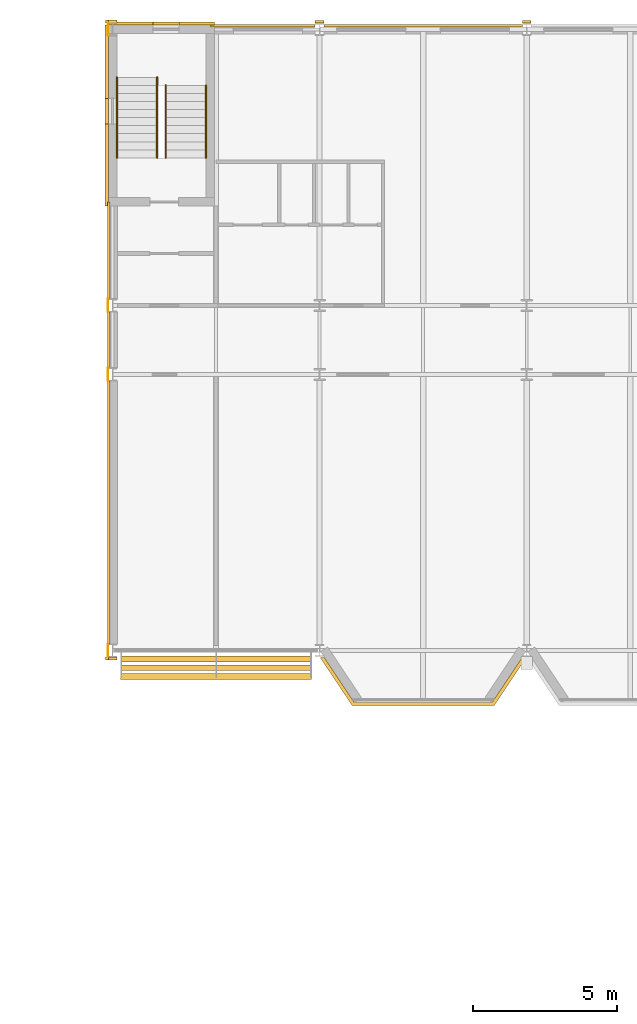
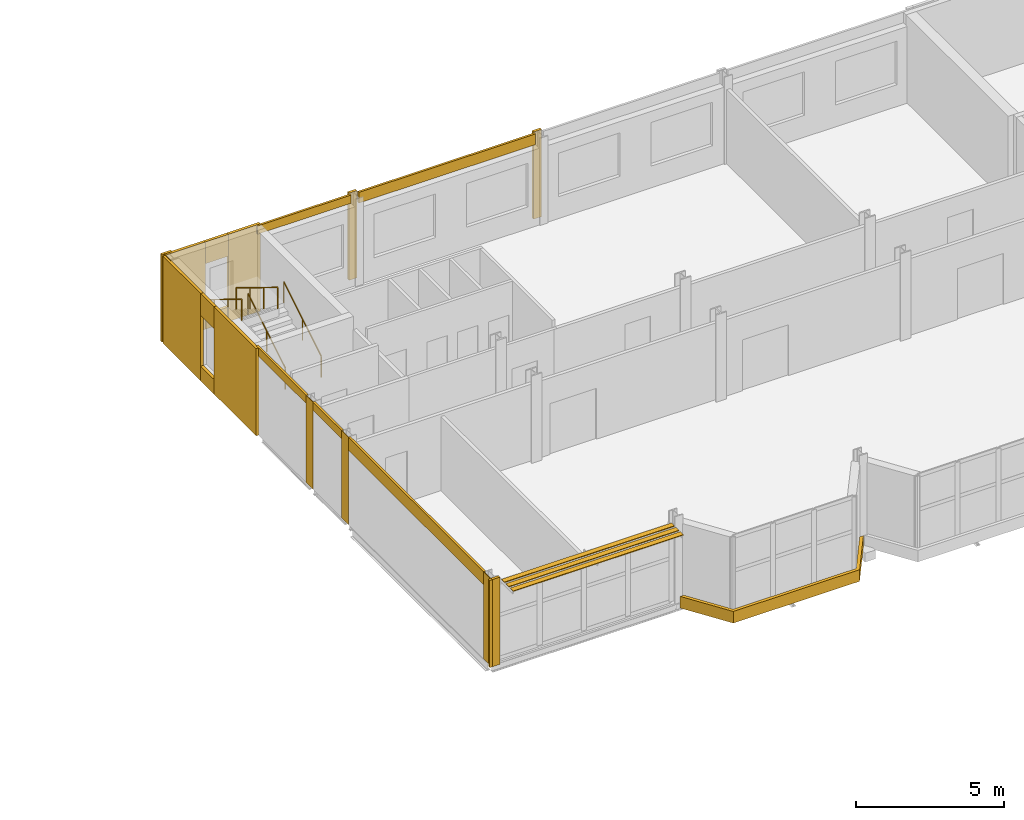
# One storey, part 113 of 120: 24 coverings, 4 railings, 3 shading devices.
"""IFC4 building model written with IfcOpenShell, lengths in metres."""

from ifc_helpers import new_model, si_unit, direction, frame, origin, origin_2d, place, context, subcontext, project, spatial, polyline, rectangle, circle, outline, extrude, material, layer, layer_set, type_object, element, save


model = new_model("IFC4")

# Units and contexts
model_context = context("Model", 3, precision=1e-05, world=origin(), true_north=direction((0.0, 1.0)))
body_context = subcontext(model_context, "Body", "Model", "MODEL_VIEW")
ifc_project = project(units=[si_unit("LENGTHUNIT", "METRE"), si_unit("AREAUNIT", "SQUARE_METRE"), si_unit("VOLUMEUNIT", "CUBIC_METRE"), si_unit("PLANEANGLEUNIT", "RADIAN"), si_unit("MASSUNIT", "GRAM", prefix="KILO")], contexts=[model_context])

# Site, building, storey
site_placement = place(None, origin())
site = spatial("IfcSite", under=ifc_project, at=site_placement, CompositionType="ELEMENT")
building_placement = place(site_placement, origin())
building = spatial("IfcBuilding", under=site, at=building_placement, Name="Kupolbacken Congress Centre", CompositionType="ELEMENT")
storey_placement = place(building_placement, frame((0.0, 0.0, 21.60009765625)))
storey = spatial("IfcBuildingStorey", under=building, at=storey_placement, Name="L06", CompositionType="ELEMENT", Elevation=21.60009765625)

# Coverings
ifc_material_1 = material(Name="Limestone cladding", Category="masonry")
ifc_layer_1 = layer(ifc_material_1, 0.1201171875)
ifc_layer_set_1 = layer_set([ifc_layer_1], Name="Limestone cladding")
covering_type_1 = type_object("IfcCoveringType", Name="CV1 limestone cladding band 120", PredefinedType="CLADDING", material=ifc_layer_set_1)
covering_1_placement = place(storey_placement, frame((0.0, 0.0, -0.2001953125)))
element("IfcCovering", 1, at=covering_1_placement, inside=storey, type_object=covering_type_1, Name="E/T/belt/L06/S/72", PredefinedType="CLADDING", context=body_context, shape_type="SweptSolid", body=[
    extrude(outline(polyline([(79.177490234375, 122.14990234375), (79.033203125, 122.14990234375), (78.0, 120.60009765625), (73.199951171875, 120.60009765625), (72.166748046875, 122.14990234375), (72.0224609375, 122.14990234375), (73.1357421875, 120.47998046875), (78.064208984375, 120.47998046875), (79.177490234375, 122.14990234375)])), origin(), (0.0, 0.0, 1.0), 0.47998046875),
])
covering_2_placement = place(storey_placement, frame((75.60009765625, 144.12744140625, 3.159912109375), z_axis=(0.0, 0.0, 1.0), x_axis=(-1.0, 0.0, 0.0)))
element("IfcCovering", 2, at=covering_2_placement, inside=storey, type_object=covering_type_1, Name="E/T/N/L06/091/band", PredefinedType="CLADDING", context=body_context, shape_type="SweptSolid", body=[
    extrude(rectangle(XDim=6.89306640625, YDim=0.0849609375, at=origin_2d()), origin(), (0.0, 0.0, 1.0), 0.43994140625),
])
covering_3_placement = place(storey_placement, frame((70.023193359375, 144.12744140625, 3.259765625), z_axis=(0.0, 0.0, 1.0), x_axis=(-1.0, 0.0, 0.0)))
element("IfcCovering", 3, at=covering_3_placement, inside=storey, type_object=covering_type_1, Name="E/T/N/L06/092/band", PredefinedType="CLADDING", context=body_context, shape_type="SweptSolid", body=[
    extrude(rectangle(XDim=3.646484375, YDim=0.0849609375, at=origin_2d()), origin(), (0.0, 0.0, 1.0), 0.340087890625),
])
covering_4_placement = place(storey_placement, frame((64.672607421875, 136.3125, 3.259765625), z_axis=(0.0, 0.0, 1.0), x_axis=(0.0, -1.0, 0.0)))
element("IfcCovering", 4, at=covering_4_placement, inside=storey, type_object=covering_type_1, Name="E/T/W/L06/096/band", PredefinedType="CLADDING", context=body_context, shape_type="SweptSolid", body=[
    extrude(rectangle(XDim=3.375, YDim=0.0849609375, at=origin_2d()), origin(), (0.0, 0.0, 1.0), 0.340087890625),
])
covering_5_placement = place(storey_placement, frame((64.672607421875, 133.199951171875, 3.259765625), z_axis=(0.0, 0.0, 1.0), x_axis=(0.0, -1.0, 0.0)))
element("IfcCovering", 5, at=covering_5_placement, inside=storey, type_object=covering_type_1, Name="E/T/W/L06/097/band", PredefinedType="CLADDING", context=body_context, shape_type="SweptSolid", body=[
    extrude(rectangle(XDim=1.949951171875, YDim=0.0849609375, at=origin_2d()), origin(), (0.0, 0.0, 1.0), 0.340087890625),
])
covering_6_placement = place(storey_placement, frame((64.672607421875, 127.199951171875, 3.059814453125), z_axis=(0.0, 0.0, 1.0), x_axis=(0.0, -1.0, 0.0)))
element("IfcCovering", 6, at=covering_6_placement, inside=storey, type_object=covering_type_1, Name="E/T/W/L06/098/band", PredefinedType="CLADDING", context=body_context, shape_type="SweptSolid", body=[
    extrude(rectangle(XDim=9.14990234375, YDim=0.0849609375, at=origin_2d()), origin(), (0.0, 0.0, 1.0), 0.5400390625),
])
ifc_material_2 = material(Name="Brick cladding", Category="masonry")
ifc_layer_2 = layer(ifc_material_2, 0.10791015625)
ifc_layer_set_2 = layer_set([ifc_layer_2], Name="Brick cladding")
covering_type_2 = type_object("IfcCoveringType", Name="CV2 brick cladding band 108", PredefinedType="CLADDING", material=ifc_layer_set_2)
covering_7_placement = place(storey_placement, frame((64.60009765625, 122.125, -0.000244140625), z_axis=(0.0, 0.0, 1.0), x_axis=(1.0, 0.0, 0.0)))
element("IfcCovering", 7, at=covering_7_placement, inside=storey, type_object=covering_type_2, Name="E/T/pilaster/L06/C-T-10T/corner", PredefinedType="CLADDING", context=body_context, shape_type="SweptSolid", body=[
    extrude(rectangle(XDim=0.10009765625, YDim=0.10009765625, at=origin_2d()), origin(), (0.0, 0.0, 1.0), 3.60009765625),
])
covering_8_placement = place(storey_placement, frame((64.800048828125, 122.125, -0.000244140625), z_axis=(0.0, 0.0, 1.0), x_axis=(1.0, 0.0, 0.0)))
element("IfcCovering", 8, at=covering_8_placement, inside=storey, type_object=covering_type_2, Name="E/T/pilaster/L06/C-T-10T/S", PredefinedType="CLADDING", context=body_context, shape_type="SweptSolid", body=[
    extrude(rectangle(XDim=0.300048828125, YDim=0.10009765625, at=origin_2d()), origin(), (0.0, 0.0, 1.0), 3.60009765625),
])
for number, where, z_axis, x_axis, name in (
    (9, (64.639892578125, 122.39990234375, -0.000244140625), (0.0, 0.0, 1.0), (1.0, 0.0, 0.0), "E/T/pilaster/L06/C-T-10T/W"),
    (10, (64.639892578125, 132.0, -0.000244140625), (0.0, 0.0, 1.0), (1.0, 0.0, 0.0), "E/T/pilaster/L06/C-T-10U+2400/W"),
    (11, (64.639892578125, 134.39990234375, -0.000244140625), (0.0, 0.0, 1.0), (1.0, 0.0, 0.0), "E/T/pilaster/L06/C-T-10U+4800/W"),
):
    element("IfcCovering", number, at=place(storey_placement, frame(where, z_axis=z_axis, x_axis=x_axis)), inside=storey, type_object=covering_type_2, Name=name, PredefinedType="CLADDING", context=body_context, shape_type="SweptSolid", body=[
        extrude(rectangle(XDim=0.02001953125, YDim=0.449951171875, at=origin_2d()), origin(), (0.0, 0.0, 1.0), 3.60009765625),
    ])
covering_9_placement = place(storey_placement, frame((64.60009765625, 144.27490234375, -0.000244140625), z_axis=(0.0, 0.0, 1.0), x_axis=(1.0, 0.0, 0.0)))
element("IfcCovering", 12, at=covering_9_placement, inside=storey, type_object=covering_type_2, Name="E/T/pilaster/L06/C-T-10W/corner", PredefinedType="CLADDING", context=body_context, shape_type="SweptSolid", body=[
    extrude(rectangle(XDim=0.10009765625, YDim=0.10009765625, at=origin_2d()), origin(), (0.0, 0.0, 1.0), 3.60009765625),
])
covering_10_placement = place(storey_placement, frame((64.800048828125, 144.27490234375, -0.000244140625), z_axis=(0.0, 0.0, 1.0), x_axis=(1.0, 0.0, 0.0)))
element("IfcCovering", 13, at=covering_10_placement, inside=storey, type_object=covering_type_2, Name="E/T/pilaster/L06/C-T-10W/N", PredefinedType="CLADDING", context=body_context, shape_type="SweptSolid", body=[
    extrude(rectangle(XDim=0.300048828125, YDim=0.10009765625, at=origin_2d()), origin(), (0.0, 0.0, 1.0), 3.60009765625),
])
covering_11_placement = place(storey_placement, frame((64.639892578125, 144.0, -0.000244140625), z_axis=(0.0, 0.0, 1.0), x_axis=(1.0, 0.0, 0.0)))
element("IfcCovering", 14, at=covering_11_placement, inside=storey, type_object=covering_type_2, Name="E/T/pilaster/L06/C-T-10W/W", PredefinedType="CLADDING", context=body_context, shape_type="SweptSolid", body=[
    extrude(rectangle(XDim=0.02001953125, YDim=0.449951171875, at=origin_2d()), origin(), (0.0, 0.0, 1.0), 3.60009765625),
])
for number, where, z_axis, x_axis, name in (
    (15, (72.0, 144.26611328125, -0.000244140625), (0.0, 0.0, 1.0), (1.0, 0.0, 0.0), "E/T/pilaster/L06/C-T-11W/N"),
    (16, (79.199951171875, 144.26611328125, -0.000244140625), (0.0, 0.0, 1.0), (1.0, 0.0, 0.0), "E/T/pilaster/L06/C-T-12W/N"),
):
    element("IfcCovering", number, at=place(storey_placement, frame(where, z_axis=z_axis, x_axis=x_axis)), inside=storey, type_object=covering_type_2, Name=name, PredefinedType="CLADDING", context=body_context, shape_type="SweptSolid", body=[
        extrude(rectangle(XDim=0.306884765625, YDim=0.10009765625, at=origin_2d()), origin(), (0.0, 0.0, 1.0), 3.60009765625),
    ])
covering_12_placement = place(storey_placement, frame((64.595947265625, 142.875, -0.000244140625), z_axis=(0.0, 0.0, 1.0), x_axis=(0.0, -1.0, 0.0)))
element("IfcCovering", 17, at=covering_12_placement, inside=storey, type_object=covering_type_2, Name="S/core/L06/124/face0", PredefinedType="CLADDING", context=body_context, shape_type="SweptSolid", body=[
    extrude(rectangle(XDim=2.550048828125, YDim=0.10791015625, at=origin_2d()), origin(), (0.0, 0.0, 1.0), 3.60009765625),
])
covering_13_placement = place(storey_placement, frame((64.595947265625, 139.27490234375, -0.000244140625), z_axis=(0.0, 0.0, 1.0), x_axis=(0.0, -1.0, 0.0)))
element("IfcCovering", 18, at=covering_13_placement, inside=storey, type_object=covering_type_2, Name="S/core/L06/124/face1", PredefinedType="CLADDING", context=body_context, shape_type="SweptSolid", body=[
    extrude(rectangle(XDim=2.85009765625, YDim=0.10791015625, at=origin_2d()), origin(), (0.0, 0.0, 1.0), 3.60009765625),
])
covering_14_placement = place(storey_placement, frame((64.595947265625, 141.14990234375, -0.000244140625), z_axis=(0.0, 0.0, 1.0), x_axis=(0.0, -1.0, 0.0)))
element("IfcCovering", 19, at=covering_14_placement, inside=storey, type_object=covering_type_2, Name="S/core/L06/124/face2", PredefinedType="CLADDING", context=body_context, shape_type="SweptSolid", body=[
    extrude(rectangle(XDim=0.89990234375, YDim=0.10791015625, at=origin_2d()), origin(), (0.0, 0.0, 1.0), 0.60009765625),
])
covering_15_placement = place(storey_placement, frame((64.595947265625, 141.14990234375, 2.699951171875), z_axis=(0.0, 0.0, 1.0), x_axis=(0.0, -1.0, 0.0)))
element("IfcCovering", 20, at=covering_15_placement, inside=storey, type_object=covering_type_2, Name="S/core/L06/124/face3", PredefinedType="CLADDING", context=body_context, shape_type="SweptSolid", body=[
    extrude(rectangle(XDim=0.89990234375, YDim=0.10791015625, at=origin_2d()), origin(), (0.0, 0.0, 1.0), 0.89990234375),
])
covering_16_placement = place(storey_placement, frame((67.72509765625, 144.2041015625, -0.000244140625), z_axis=(0.0, 0.0, 1.0), x_axis=(-1.0, 0.0, 0.0)))
element("IfcCovering", 21, at=covering_16_placement, inside=storey, type_object=covering_type_2, Name="S/core/L06/125/face0", PredefinedType="CLADDING", context=body_context, shape_type="SweptSolid", body=[
    extrude(rectangle(XDim=1.25, YDim=0.10791015625, at=origin_2d()), origin(), (0.0, 0.0, 1.0), 3.60009765625),
])
covering_17_placement = place(storey_placement, frame((65.425048828125, 144.2041015625, -0.000244140625), z_axis=(0.0, 0.0, 1.0), x_axis=(-1.0, 0.0, 0.0)))
element("IfcCovering", 22, at=covering_17_placement, inside=storey, type_object=covering_type_2, Name="S/core/L06/125/face1", PredefinedType="CLADDING", context=body_context, shape_type="SweptSolid", body=[
    extrude(rectangle(XDim=1.550048828125, YDim=0.10791015625, at=origin_2d()), origin(), (0.0, 0.0, 1.0), 3.60009765625),
])
covering_18_placement = place(storey_placement, frame((66.64990234375, 144.2041015625, -0.000244140625), z_axis=(0.0, 0.0, 1.0), x_axis=(-1.0, 0.0, 0.0)))
element("IfcCovering", 23, at=covering_18_placement, inside=storey, type_object=covering_type_2, Name="S/core/L06/125/face2", PredefinedType="CLADDING", context=body_context, shape_type="SweptSolid", body=[
    extrude(rectangle(XDim=0.89990234375, YDim=0.10791015625, at=origin_2d()), origin(), (0.0, 0.0, 1.0), 0.60009765625),
])
covering_19_placement = place(storey_placement, frame((66.64990234375, 144.2041015625, 2.699951171875), z_axis=(0.0, 0.0, 1.0), x_axis=(-1.0, 0.0, 0.0)))
element("IfcCovering", 24, at=covering_19_placement, inside=storey, type_object=covering_type_2, Name="S/core/L06/125/face3", PredefinedType="CLADDING", context=body_context, shape_type="SweptSolid", body=[
    extrude(rectangle(XDim=0.89990234375, YDim=0.10791015625, at=origin_2d()), origin(), (0.0, 0.0, 1.0), 0.89990234375),
])

# Railings
ifc_material_3 = material(Name="Steel S235", Category="steel")
railing_type = type_object("IfcRailingType", Name="RL3 handrail wall-mounted 900", PredefinedType="HANDRAIL", material=ifc_material_3)
for number, where, name in (
    (25, (66.64990234375, 139.530029296875, 0.17138671875), "C/stair/TS3/L06/HR1L"),
    (26, (68.050048828125, 139.530029296875, 0.17138671875), "C/stair/TS3/L06/HR1R"),
):
    element("IfcRailing", number, at=place(storey_placement, frame(where)), inside=storey, type_object=railing_type, Name=name, PredefinedType="HANDRAIL", context=body_context, shape_type="SweptSolid", body=[
        extrude(circle(Radius=0.02392578125, at=origin_2d()), frame((0.0, 0.0, 0.8759765625), z_axis=(0.0, 0.852873080145, 0.522118290393), x_axis=(-1.0, 0.0, 0.0)), (0.0, 0.0, 1.0), 2.954833984375),
        extrude(circle(Radius=0.02099609375, at=origin_2d()), origin(), (0.0, 0.0, 1.0), 0.851806640625),
        extrude(circle(Radius=0.02099609375, at=origin_2d()), frame((0.0, 1.260009765625, 0.771484375)), (0.0, 0.0, 1.0), 0.851806640625),
        extrude(circle(Radius=0.02099609375, at=origin_2d()), frame((0.0, 2.52001953125, 1.542724609375)), (0.0, 0.0, 1.0), 0.851806640625),
    ])
for number, where, name in (
    (27, (66.35009765625, 142.330078125, 1.885498046875), "C/stair/TS3/L06/HR2L"),
    (28, (64.949951171875, 142.330078125, 1.885498046875), "C/stair/TS3/L06/HR2R"),
):
    element("IfcRailing", number, at=place(storey_placement, frame(where)), inside=storey, type_object=railing_type, Name=name, PredefinedType="HANDRAIL", context=body_context, shape_type="SweptSolid", body=[
        extrude(circle(Radius=0.02392578125, at=origin_2d()), frame((0.0, 0.0, 0.8759765625), z_axis=(0.0, -0.852845897599, 0.522162690116), x_axis=(1.0, 0.0, 0.0)), (0.0, 0.0, 1.0), 3.283203125),
        extrude(circle(Radius=0.02099609375, at=origin_2d()), origin(), (0.0, 0.0, 1.0), 0.851806640625),
        extrude(circle(Radius=0.02099609375, at=origin_2d()), frame((0.0, -0.933349609375, 0.571533203125)), (0.0, 0.0, 1.0), 0.851806640625),
        extrude(circle(Radius=0.02099609375, at=origin_2d()), frame((0.0, -1.86669921875, 1.142822265625)), (0.0, 0.0, 1.0), 0.851806640625),
        extrude(circle(Radius=0.02099609375, at=origin_2d()), frame((0.0, -2.800048828125, 1.71435546875)), (0.0, 0.0, 1.0), 0.851806640625),
    ])

# Shading devices
ifc_material_4 = material(Name="Aluminium alloy louvre", Category="aluminium")
ifc_layer_3 = layer(ifc_material_4, 0.030029296875)
ifc_layer_set_3 = layer_set([ifc_layer_3], Name="Aluminium alloy louvre")
shading_device_type = type_object("IfcShadingDeviceType", Name="SC1 louvre blade 30 x 200", PredefinedType="JALOUSIE", material=ifc_layer_set_3)
for number, where, z_axis, x_axis, name in (
    (29, (68.398193359375, 122.10009765625, 3.35986328125), (0.0, 0.0, 1.0), (1.0, 0.0, 0.0), "Brise-soleil blade"),
    (30, (68.398193359375, 121.800048828125, 3.35986328125), (0.0, 0.0, 1.0), (1.0, 0.0, 0.0), "Brise-soleil blade"),
    (31, (68.398193359375, 121.5, 3.35986328125), (0.0, 0.0, 1.0), (1.0, 0.0, 0.0), "Brise-soleil blade"),
):
    element("IfcShadingDevice", number, at=place(storey_placement, frame(where, z_axis=z_axis, x_axis=x_axis)), inside=storey, type_object=shading_device_type, Name=name, PredefinedType="JALOUSIE", context=body_context, shape_type="SweptSolid", body=[
        extrude(rectangle(XDim=6.636474609375, YDim=0.199951171875, at=origin_2d()), origin(), (0.0, 0.0, 1.0), 0.030029296875),
    ])

save(model, "model.ifc")
